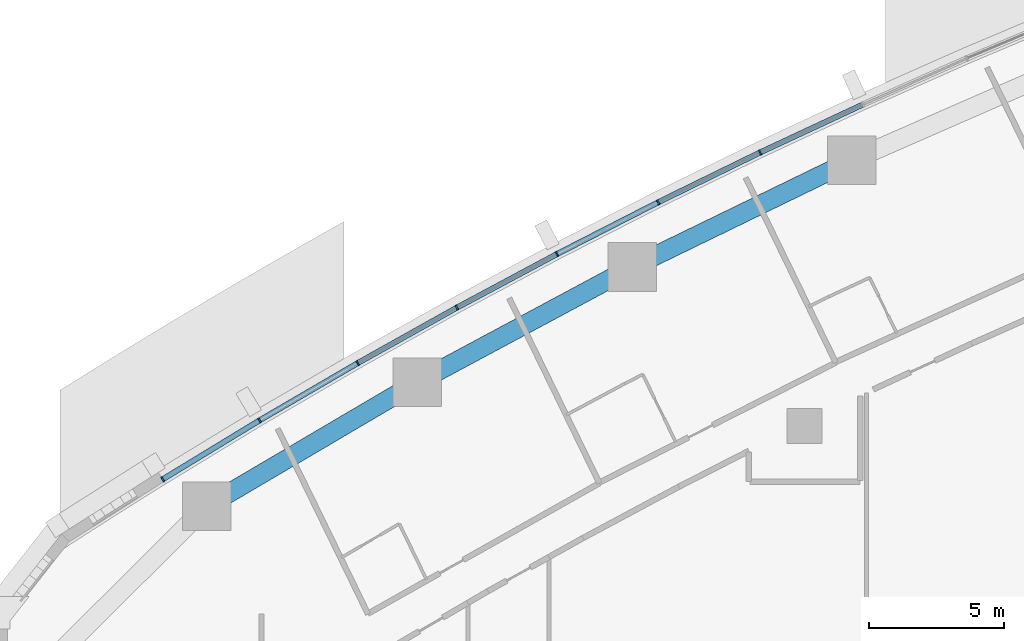
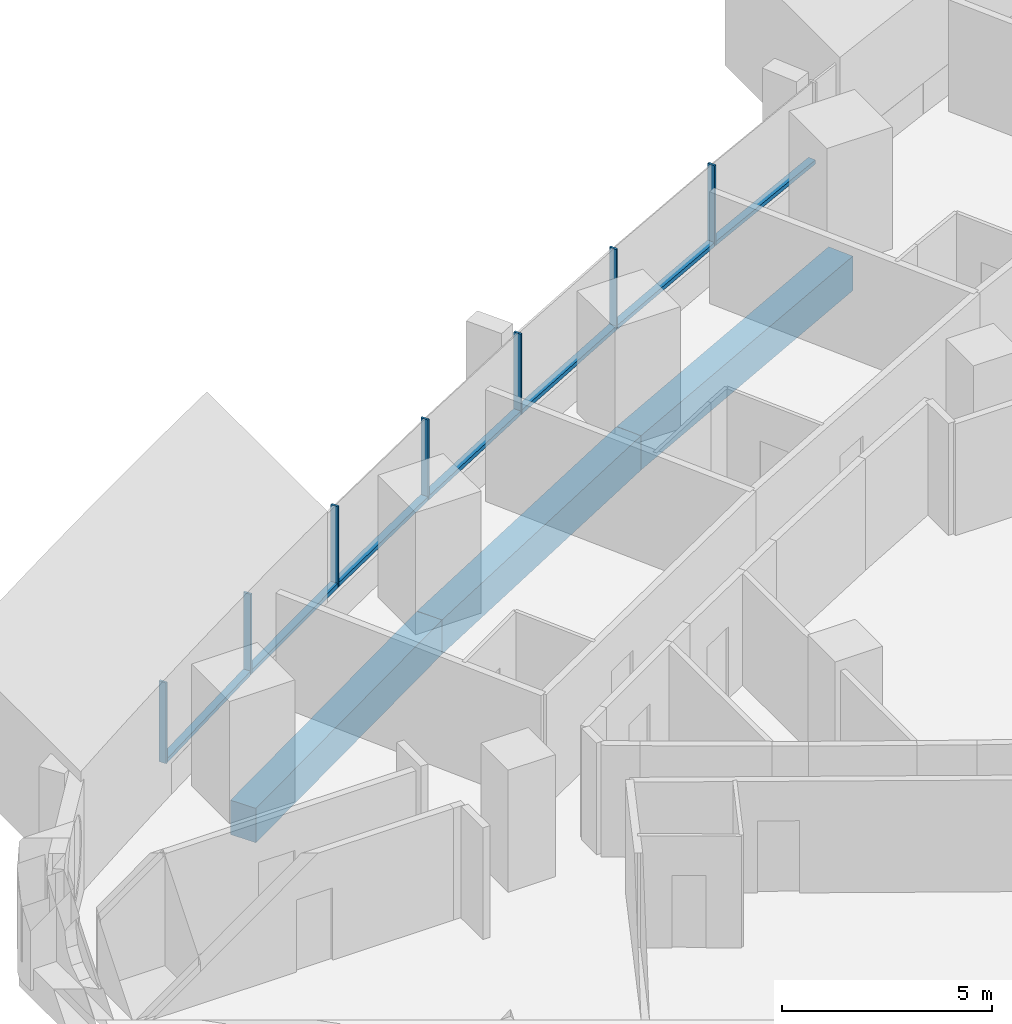
# One storey, part 5 of 19: 14 members, 3 beams, 3 elements without a shape of their own.
"""IFC4 building model written with IfcOpenShell, lengths in metres."""

from ifc_helpers import new_model, si_unit, direction, frame, origin, origin_2d, place, context, subcontext, project, spatial, rectangle, extrude, material, layer, layer_set, material_profile, profile_set, type_object, element, aggregate, save


model = new_model("IFC4")

# Units and contexts
model_context = context("Model", 3, precision=1e-05, world=origin(), true_north=direction((0.0, 1.0)))
body_context = subcontext(model_context, "Body", "Model", "MODEL_VIEW")
ifc_project = project(units=[si_unit("LENGTHUNIT", "METRE"), si_unit("AREAUNIT", "SQUARE_METRE"), si_unit("VOLUMEUNIT", "CUBIC_METRE"), si_unit("PLANEANGLEUNIT", "RADIAN"), si_unit("MASSUNIT", "GRAM", prefix="KILO")], contexts=[model_context])

# Site, building, storey
site_placement = place(None, origin())
site = spatial("IfcSite", under=ifc_project, at=site_placement, CompositionType="ELEMENT")
building_placement = place(site_placement, origin())
building = spatial("IfcBuilding", under=site, at=building_placement, Name="Ostrand Prow Hotel Tower", CompositionType="ELEMENT")
storey_placement = place(building_placement, frame((0.0, 0.0, 64.449951171875)))
storey = spatial("IfcBuildingStorey", under=building, at=storey_placement, Name="L14", CompositionType="ELEMENT", Elevation=64.449951171875)

# Beams
ifc_material_1 = material(Name="Concrete C80/95", Category="concrete")
ifc_material_profile_1 = material_profile(ifc_material_1, rectangle(XDim=0.699951171875, YDim=1.0, at=origin_2d()), Name="RC 700x1000")
ifc_profile_set_1 = profile_set([ifc_material_profile_1], Name="Concrete C80/95")
beam_type = type_object("IfcBeamType", Name="Edge beam 700x1000 C80/95", PredefinedType="SPANDREL", material=ifc_profile_set_1)
beam_1_placement = place(storey_placement, frame((35.7412109375, 18.814208984375, -0.800048828125), z_axis=(-0.899382499202, -0.437162578601, 0.0), x_axis=(0.437162578601, -0.899382499202, 0.0)))
element("IfcBeam", 1, at=beam_1_placement, inside=storey, type_object=beam_type, Name="Edge beam N3-N4", PredefinedType="SPANDREL", context=body_context, shape_type="SweptSolid", body=[
    extrude(rectangle(XDim=0.699951171875, YDim=1.0, at=origin_2d()), origin(), (0.0, 0.0, 1.0), 9.012451171875),
])
beam_2_placement = place(storey_placement, frame((27.635498046875, 14.874267578125, -0.800048828125), z_axis=(-0.881270074696, -0.472613008122, 0.0), x_axis=(0.472613008122, -0.881270074696, 0.0)))
element("IfcBeam", 2, at=beam_2_placement, inside=storey, type_object=beam_type, Name="Edge beam N4-N5", PredefinedType="SPANDREL", context=body_context, shape_type="SweptSolid", body=[
    extrude(rectangle(XDim=0.699951171875, YDim=1.0, at=origin_2d()), origin(), (0.0, 0.0, 1.0), 9.0126953125),
])
beam_3_placement = place(storey_placement, frame((19.69287109375, 10.61474609375, -0.800048828125), z_axis=(-0.861725230108, -0.507375233722, 0.0), x_axis=(0.507375233722, -0.861725230108, 0.0)))
element("IfcBeam", 3, at=beam_3_placement, inside=storey, type_object=beam_type, Name="Edge beam N5-N6", PredefinedType="SPANDREL", context=body_context, shape_type="SweptSolid", body=[
    extrude(rectangle(XDim=0.699951171875, YDim=1.0, at=origin_2d()), origin(), (0.0, 0.0, 1.0), 9.012451171875),
])

# Curtain wall, members
ifc_material_2 = material(Name="Insulated glass in bronze anodised frame", Category="glass")
ifc_layer = layer(ifc_material_2, 0.199951171875)
ifc_layer_set = layer_set([ifc_layer], Name="Insulated glass in bronze anodised frame")
curtain_wall_type = type_object("IfcCurtainWallType", Name="Strip curtain wall, fritted glass over bronze spandrel", PredefinedType="NOTDEFINED", material=ifc_layer_set)
curtain_wall_1_placement = place(storey_placement, origin())
curtain_wall_1 = element("IfcCurtainWall", 4, at=curtain_wall_1_placement, inside=storey, type_object=curtain_wall_type, Name="CW1 run CWN3", PredefinedType="NOTDEFINED")
ifc_material_3 = material(Name="Bronze anodised aluminium", Category="aluminium")
ifc_material_profile_2 = material_profile(ifc_material_3, rectangle(XDim=0.199951171875, YDim=0.06005859375, at=origin_2d()), Name="Mullion 60x200 bronze anodised aluminium")
ifc_profile_set_2 = profile_set([ifc_material_profile_2], Name="Bronze anodised aluminium")
member_type_1 = type_object("IfcMemberType", Name="Mullion 60x200 bronze anodised aluminium", PredefinedType="MULLION", material=ifc_profile_set_2)
member_1_placement = place(storey_placement, frame((32.360595703125, 19.10498046875, 0.900146484375), z_axis=(0.0, 0.0, 1.0), x_axis=(0.439138077204, -0.898419584131, 0.0)))
member_1 = element("IfcMember", 5, at=member_1_placement, type_object=member_type_1, Name="CW1 mullion 2", PredefinedType="MULLION", context=body_context, shape_type="SweptSolid", body=[
    extrude(rectangle(XDim=0.199951171875, YDim=0.06005859375, at=origin_2d()), origin(), (0.0, 0.0, 1.0), 2.349853515625),
])
member_2_placement = place(storey_placement, frame((28.59228515625, 17.262939453125, 0.900146484375), z_axis=(0.0, 0.0, 1.0), x_axis=(0.439138077204, -0.898419584131, 0.0)))
member_2 = element("IfcMember", 6, at=member_2_placement, type_object=member_type_1, Name="CW1 mullion 3", PredefinedType="MULLION", context=body_context, shape_type="SweptSolid", body=[
    extrude(rectangle(XDim=0.199951171875, YDim=0.06005859375, at=origin_2d()), origin(), (0.0, 0.0, 1.0), 2.349853515625),
])

curtain_wall_2_placement = place(storey_placement, origin())
curtain_wall_2 = element("IfcCurtainWall", 7, at=curtain_wall_2_placement, inside=storey, type_object=curtain_wall_type, Name="CW1 run CWN4", PredefinedType="NOTDEFINED")
member_3_placement = place(storey_placement, frame((24.858642578125, 15.35205078125, 0.900146484375), z_axis=(0.0, 0.0, 1.0), x_axis=(0.471899992481, -0.881652083929, 0.0)))
member_3 = element("IfcMember", 8, at=member_3_placement, type_object=member_type_1, Name="CW1 mullion 2", PredefinedType="MULLION", context=body_context, shape_type="SweptSolid", body=[
    extrude(rectangle(XDim=0.199951171875, YDim=0.06005859375, at=origin_2d()), origin(), (0.0, 0.0, 1.0), 2.349853515625),
])
member_4_placement = place(storey_placement, frame((21.160888671875, 13.372802734375, 0.900146484375), z_axis=(0.0, 0.0, 1.0), x_axis=(0.488043996167, -0.872819029241, 0.0)))
member_4 = element("IfcMember", 9, at=member_4_placement, type_object=member_type_1, Name="CW1 mullion 3", PredefinedType="MULLION", context=body_context, shape_type="SweptSolid", body=[
    extrude(rectangle(XDim=0.199951171875, YDim=0.06005859375, at=origin_2d()), origin(), (0.0, 0.0, 1.0), 2.349853515625),
])
member_5_placement = place(storey_placement, frame((17.5, 11.325927734375, 0.900146484375), z_axis=(0.0, 0.0, 1.0), x_axis=(0.488043996167, -0.872819029241, 0.0)))
member_5 = element("IfcMember", 10, at=member_5_placement, type_object=member_type_1, Name="CW1 mullion 4", PredefinedType="MULLION", context=body_context, shape_type="SweptSolid", body=[
    extrude(rectangle(XDim=0.199951171875, YDim=0.06005859375, at=origin_2d()), origin(), (0.0, 0.0, 1.0), 2.349853515625),
])

curtain_wall_3_placement = place(storey_placement, origin())
curtain_wall_3 = element("IfcCurtainWall", 11, at=curtain_wall_3_placement, inside=storey, type_object=curtain_wall_type, Name="CW1 run CWN5", PredefinedType="NOTDEFINED")
member_6_placement = place(storey_placement, frame((13.87744140625, 9.2119140625, 0.900146484375), z_axis=(0.0, 0.0, 1.0), x_axis=(0.519830761515, -0.854269266322, 0.0)))
member_6 = element("IfcMember", 12, at=member_6_placement, type_object=member_type_1, Name="CW1 mullion 2", PredefinedType="MULLION", context=body_context, shape_type="SweptSolid", body=[
    extrude(rectangle(XDim=0.199951171875, YDim=0.06005859375, at=origin_2d()), origin(), (0.0, 0.0, 1.0), 2.349853515625),
])
member_7_placement = place(storey_placement, frame((10.29443359375, 7.031494140625, 0.900146484375), z_axis=(0.0, 0.0, 1.0), x_axis=(0.519830761515, -0.854269266322, 0.0)))
member_7 = element("IfcMember", 13, at=member_7_placement, type_object=member_type_1, Name="CW1 mullion 3", PredefinedType="MULLION", context=body_context, shape_type="SweptSolid", body=[
    extrude(rectangle(XDim=0.199951171875, YDim=0.06005859375, at=origin_2d()), origin(), (0.0, 0.0, 1.0), 2.349853515625),
])

# Member
ifc_material_4 = material(Name="Bronze anodised aluminium", Category="aluminium")
ifc_material_profile_3 = material_profile(ifc_material_4, rectangle(XDim=0.199951171875, YDim=0.1201171875, at=origin_2d()), Name="Transom 120x200 bronze anodised aluminium")
ifc_profile_set_3 = profile_set([ifc_material_profile_3], Name="Bronze anodised aluminium")
member_type_2 = type_object("IfcMemberType", Name="Transom 120x200 bronze anodised aluminium", PredefinedType="USERDEFINED", material=ifc_profile_set_3)
member_8_placement = place(storey_placement, frame((36.135009765625, 20.864501953125, 0.9599609375), z_axis=(-0.906338458793, -0.422552479714, 0.0), x_axis=(0.422552479714, -0.906338458793, 0.0)))
member_8 = element("IfcMember", 14, at=member_8_placement, type_object=member_type_2, Name="CW1 transom 1.1", ObjectType="TRANSOM", PredefinedType="USERDEFINED", context=body_context, shape_type="SweptSolid", body=[
    extrude(rectangle(XDim=0.199951171875, YDim=0.1201171875, at=origin_2d()), origin(), (0.0, 0.0, 1.0), 4.134521484375),
])

member_9_placement = place(storey_placement, frame((32.33349609375, 19.091796875, 0.9599609375), z_axis=(-0.898395234758, -0.439187889364, 0.0), x_axis=(0.439187889364, -0.898395234758, 0.0)))
member_9 = element("IfcMember", 15, at=member_9_placement, type_object=member_type_2, Name="CW1 transom 2.1", ObjectType="TRANSOM", PredefinedType="USERDEFINED", context=body_context, shape_type="SweptSolid", body=[
    extrude(rectangle(XDim=0.199951171875, YDim=0.1201171875, at=origin_2d()), origin(), (0.0, 0.0, 1.0), 4.13427734375),
])

aggregate(curtain_wall_1, [member_1, member_2, member_8, member_9])

member_10_placement = place(storey_placement, frame((28.565673828125, 17.249267578125, 0.9599609375), z_axis=(-0.890182999343, -0.455603147136, 0.0), x_axis=(0.455603147136, -0.890182999343, 0.0)))
member_10 = element("IfcMember", 16, at=member_10_placement, type_object=member_type_2, Name="CW1 transom 1.1", ObjectType="TRANSOM", PredefinedType="USERDEFINED", context=body_context, shape_type="SweptSolid", body=[
    extrude(rectangle(XDim=0.199951171875, YDim=0.1201171875, at=origin_2d()), origin(), (0.0, 0.0, 1.0), 4.13427734375),
])

member_11_placement = place(storey_placement, frame((24.832275390625, 15.337890625, 0.9599609375), z_axis=(-0.881657241639, -0.471890356191, 0.0), x_axis=(0.471890356191, -0.881657241639, 0.0)))
member_11 = element("IfcMember", 17, at=member_11_placement, type_object=member_type_2, Name="CW1 transom 2.1", ObjectType="TRANSOM", PredefinedType="USERDEFINED", context=body_context, shape_type="SweptSolid", body=[
    extrude(rectangle(XDim=0.199951171875, YDim=0.1201171875, at=origin_2d()), origin(), (0.0, 0.0, 1.0), 4.13427734375),
])

member_12_placement = place(storey_placement, frame((21.134765625, 13.358154296875, 0.9599609375), z_axis=(-0.872842137405, -0.488002667175, 0.0), x_axis=(0.488002667175, -0.872842137405, 0.0)))
member_12 = element("IfcMember", 18, at=member_12_placement, type_object=member_type_2, Name="CW1 transom 3.1", ObjectType="TRANSOM", PredefinedType="USERDEFINED", context=body_context, shape_type="SweptSolid", body=[
    extrude(rectangle(XDim=0.199951171875, YDim=0.1201171875, at=origin_2d()), origin(), (0.0, 0.0, 1.0), 4.13427734375),
])

aggregate(curtain_wall_2, [member_3, member_4, member_5, member_10, member_11, member_12])

member_13_placement = place(storey_placement, frame((17.47412109375, 11.310791015625, 0.9599609375), z_axis=(-0.863697501622, -0.504010541251, 0.0), x_axis=(0.504010541251, -0.863697501622, 0.0)))
member_13 = element("IfcMember", 19, at=member_13_placement, type_object=member_type_2, Name="CW1 transom 1.1", ObjectType="TRANSOM", PredefinedType="USERDEFINED", context=body_context, shape_type="SweptSolid", body=[
    extrude(rectangle(XDim=0.199951171875, YDim=0.1201171875, at=origin_2d()), origin(), (0.0, 0.0, 1.0), 4.13427734375),
])

member_14_placement = place(storey_placement, frame((13.851806640625, 9.1962890625, 0.9599609375), z_axis=(-0.8542612678, -0.519843905741, 0.0), x_axis=(0.519843905741, -0.8542612678, 0.0)))
member_14 = element("IfcMember", 20, at=member_14_placement, type_object=member_type_2, Name="CW1 transom 2.1", ObjectType="TRANSOM", PredefinedType="USERDEFINED", context=body_context, shape_type="SweptSolid", body=[
    extrude(rectangle(XDim=0.199951171875, YDim=0.1201171875, at=origin_2d()), origin(), (0.0, 0.0, 1.0), 4.13427734375),
])

aggregate(curtain_wall_3, [member_6, member_7, member_13, member_14])

save(model, "model.ifc")
